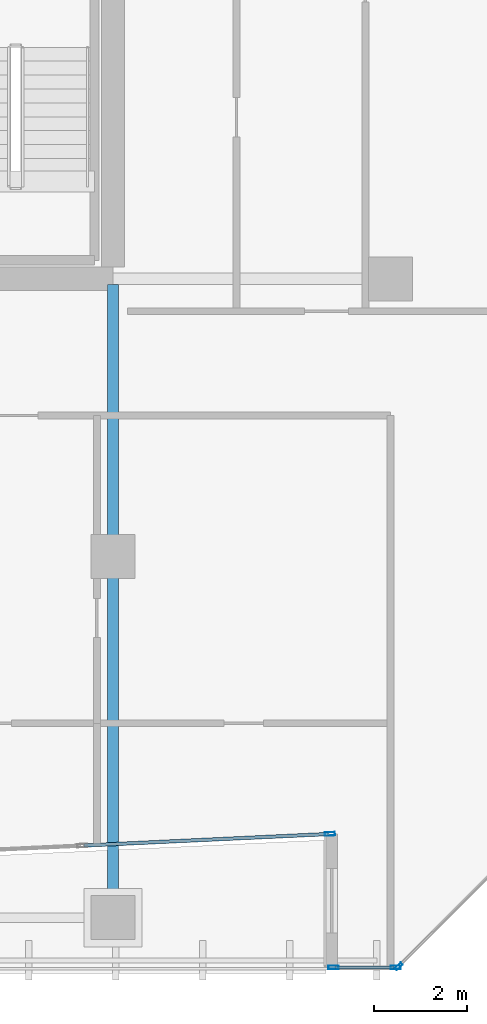
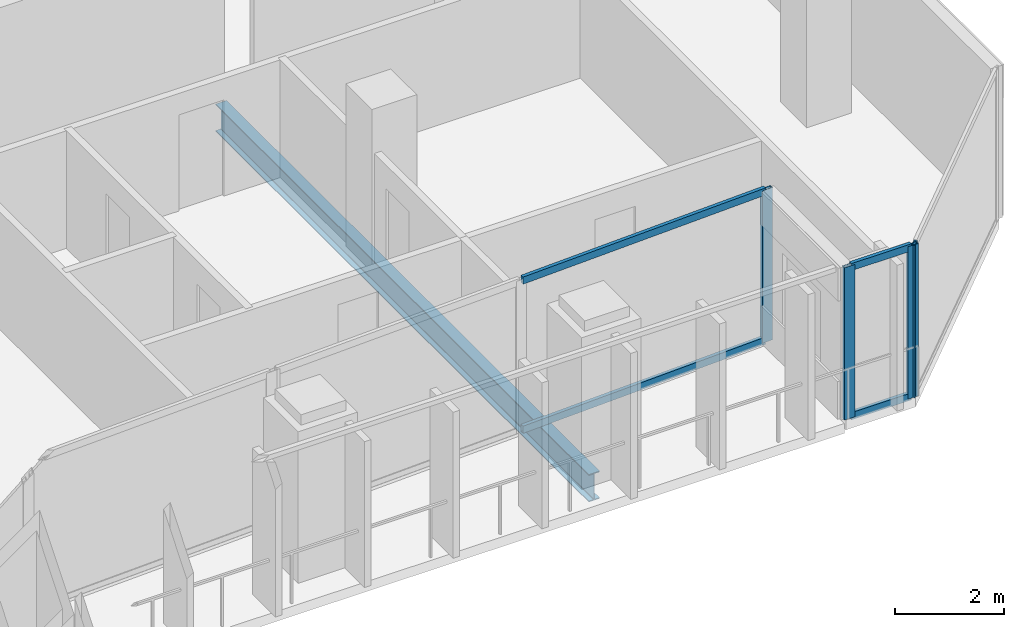
# One storey, part 19 of 39: 8 members, 1 beam, 3 elements without a shape of their own.
"""IFC4 building model written with IfcOpenShell, lengths in metres."""

from ifc_helpers import new_model, si_unit, direction, frame, origin, origin_2d, place, context, subcontext, project, spatial, hollow_rectangle, i_section, extrude, material, layer, layer_set, material_profile, profile_set, type_object, element, aggregate, save


model = new_model("IFC4")

# Units and contexts
model_context = context("Model", 3, precision=1e-05, world=origin(), true_north=direction((0.0, 1.0)))
body_context = subcontext(model_context, "Body", "Model", "MODEL_VIEW")
ifc_project = project(units=[si_unit("LENGTHUNIT", "METRE"), si_unit("AREAUNIT", "SQUARE_METRE"), si_unit("VOLUMEUNIT", "CUBIC_METRE"), si_unit("PLANEANGLEUNIT", "RADIAN"), si_unit("MASSUNIT", "GRAM", prefix="KILO")], contexts=[model_context])

# Site, building, storey
site_placement = place(None, origin())
site = spatial("IfcSite", under=ifc_project, at=site_placement, CompositionType="ELEMENT")
building_placement = place(site_placement, origin())
building = spatial("IfcBuilding", under=site, at=building_placement, Name="Tanjung Sevakor Pilgrim Tower", CompositionType="ELEMENT")
storey_placement = place(building_placement, frame((0.0, 0.0, 108.570068359375)))
storey = spatial("IfcBuildingStorey", under=building, at=storey_placement, Name="L30", CompositionType="ELEMENT", Elevation=108.570068359375)

# Beam
ifc_material_1 = material(Name="Steel S355J2", Category="steel")
ifc_material_profile_1 = material_profile(ifc_material_1, i_section(OverallWidth=0.230224609375, OverallDepth=0.6171875, WebThickness=0.01318359375, FlangeThickness=0.022216796875, FilletRadius=0.0126953125, at=origin_2d()))
ifc_profile_set_1 = profile_set([ifc_material_profile_1], Name="Steel S355J2")
beam_type = type_object("IfcBeamType", Name="BM-B-G3-UB_610x229x140", PredefinedType="BEAM", material=ifc_profile_set_1)
beam_placement = place(storey_placement, frame((90.0, 10.800048828125, -0.528564453125), z_axis=(0.0, 1.0, 0.0), x_axis=(-1.0, 0.0, 0.0)))
element("IfcBeam", 1, at=beam_placement, inside=storey, type_object=beam_type, Name="L30 MAIN Girder 045", PredefinedType="BEAM", context=body_context, shape_type="SweptSolid", body=[
    extrude(i_section(OverallWidth=0.230224609375, OverallDepth=0.6171875, WebThickness=0.01318359375, FlangeThickness=0.022216796875, FilletRadius=0.0126953125, at=origin_2d()), origin(), (0.0, 0.0, 1.0), 13.672607421875),
])

# Curtain wall, member
ifc_material_2 = material(Name="Aluminium 6063-T6 and Low-E Glass", Category="aluminium")
ifc_layer_1 = layer(ifc_material_2, 0.179931640625)
ifc_layer_set_1 = layer_set([ifc_layer_1], Name="CW-SYS-CHAM")
curtain_wall_type_1 = type_object("IfcCurtainWallType", Name="CW-SYS-CHAM", PredefinedType="NOTDEFINED", material=ifc_layer_set_1)
curtain_wall_1_placement = place(storey_placement, origin())
curtain_wall_1 = element("IfcCurtainWall", 2, at=curtain_wall_1_placement, inside=storey, type_object=curtain_wall_type_1, Name="L30 Curtain Wall CW-CHM-L30-MAIN-15", PredefinedType="NOTDEFINED")
ifc_material_3 = material(Name="Aluminium 6063-T6", Category="aluminium")
ifc_material_profile_2 = material_profile(ifc_material_3, hollow_rectangle(XDim=0.06494140625, YDim=0.179931640625, WallThickness=0.00390625, at=origin_2d()))
ifc_profile_set_2 = profile_set([ifc_material_profile_2], Name="Aluminium 6063-T6")
member_type_1 = type_object("IfcMemberType", Name="TYPE-CWM-1", PredefinedType="MULLION", material=ifc_profile_set_2)
member_1_placement = place(storey_placement, frame((96.171142578125, 9.748046875, 0.0), z_axis=(0.0, 0.0, 1.0), x_axis=(-0.707106781187, 0.707106781187, 0.0)))
member_1 = element("IfcMember", 3, at=member_1_placement, type_object=member_type_1, Name="CW-CHM mullion 1", PredefinedType="MULLION", context=body_context, shape_type="SweptSolid", body=[
    extrude(hollow_rectangle(XDim=0.06494140625, YDim=0.179931640625, WallThickness=0.00390625, at=origin_2d()), origin(), (0.0, 0.0, 1.0), 3.409912109375),
])
aggregate(curtain_wall_1, [member_1])

ifc_material_4 = material(Name="Aluminium 6063-T6 and Low-E Glass", Category="aluminium")
ifc_layer_2 = layer(ifc_material_4, 0.199951171875)
ifc_layer_set_2 = layer_set([ifc_layer_2], Name="CW-SYS-PRAY")
curtain_wall_type_2 = type_object("IfcCurtainWallType", Name="CW-SYS-PRAY", PredefinedType="NOTDEFINED", material=ifc_layer_set_2)
curtain_wall_2_placement = place(storey_placement, origin())
curtain_wall_2 = element("IfcCurtainWall", 4, at=curtain_wall_2_placement, inside=storey, type_object=curtain_wall_type_2, Name="L30 Curtain Wall CW-PRY-L30-12", PredefinedType="NOTDEFINED")
ifc_material_5 = material(Name="Aluminium 6063-T6", Category="aluminium")
ifc_material_profile_3 = material_profile(ifc_material_5, hollow_rectangle(XDim=0.074951171875, YDim=0.219970703125, WallThickness=0.0048828125, at=origin_2d()))
ifc_profile_set_3 = profile_set([ifc_material_profile_3], Name="Aluminium 6063-T6")
member_type_2 = type_object("IfcMemberType", Name="TYPE-CWM-2", PredefinedType="MULLION", material=ifc_profile_set_3)
member_2_placement = place(storey_placement, frame((94.6875, 12.609130859375, 0.0), z_axis=(0.0, 0.0, 1.0), x_axis=(-0.046892491411, 0.998899942061, 0.0)))
member_2 = element("IfcMember", 5, at=member_2_placement, type_object=member_type_2, Name="CW-PRY mullion 3", PredefinedType="MULLION", context=body_context, shape_type="SweptSolid", body=[
    extrude(hollow_rectangle(XDim=0.074951171875, YDim=0.219970703125, WallThickness=0.0048828125, at=origin_2d()), origin(), (0.0, 0.0, 1.0), 3.409912109375),
])

# Curtain wall, members
curtain_wall_3_placement = place(storey_placement, origin())
curtain_wall_3 = element("IfcCurtainWall", 6, at=curtain_wall_3_placement, inside=storey, type_object=curtain_wall_type_2, Name="L30 Curtain Wall CW-PRY-L30-14", PredefinedType="NOTDEFINED")
member_3_placement = place(storey_placement, frame((94.762451171875, 9.72509765625, 0.0), z_axis=(0.0, 0.0, 1.0), x_axis=(0.0, 1.0, 0.0)))
member_3 = element("IfcMember", 7, at=member_3_placement, type_object=member_type_2, Name="CW-PRY mullion 1", PredefinedType="MULLION", context=body_context, shape_type="SweptSolid", body=[
    extrude(hollow_rectangle(XDim=0.074951171875, YDim=0.219970703125, WallThickness=0.0048828125, at=origin_2d()), origin(), (0.0, 0.0, 1.0), 3.409912109375),
])
member_4_placement = place(storey_placement, frame((96.110595703125, 9.72509765625, 0.0), z_axis=(0.0, 0.0, 1.0), x_axis=(0.0, 1.0, 0.0)))
member_4 = element("IfcMember", 8, at=member_4_placement, type_object=member_type_2, Name="CW-PRY mullion 2", PredefinedType="MULLION", context=body_context, shape_type="SweptSolid", body=[
    extrude(hollow_rectangle(XDim=0.074951171875, YDim=0.219970703125, WallThickness=0.0048828125, at=origin_2d()), origin(), (0.0, 0.0, 1.0), 3.409912109375),
])

# Member
ifc_material_6 = material(Name="Aluminium 6063-T6", Category="aluminium")
ifc_material_profile_4 = material_profile(ifc_material_6, hollow_rectangle(XDim=0.074951171875, YDim=0.159912109375, WallThickness=0.00439453125, at=origin_2d()))
ifc_profile_set_4 = profile_set([ifc_material_profile_4], Name="Aluminium 6063-T6")
member_type_3 = type_object("IfcMemberType", Name="TYPE-CWT-2", PredefinedType="USERDEFINED", material=ifc_profile_set_4)
member_5_placement = place(storey_placement, frame((89.3720703125, 12.359619140625, 0.037353515625), z_axis=(0.998899693598, 0.046897783848, 0.0), x_axis=(-0.046897783848, 0.998899693598, 0.0)))
member_5 = element("IfcMember", 9, at=member_5_placement, type_object=member_type_3, Name="CW-PRY transom 2.1", ObjectType="TRANSOM", PredefinedType="USERDEFINED", context=body_context, shape_type="SweptSolid", body=[
    extrude(hollow_rectangle(XDim=0.074951171875, YDim=0.159912109375, WallThickness=0.00439453125, at=origin_2d()), origin(), (0.0, 0.0, 1.0), 5.283935546875),
])

member_6_placement = place(storey_placement, frame((89.3720703125, 12.359619140625, 3.372314453125), z_axis=(0.998899693598, 0.046897783848, 0.0), x_axis=(-0.046897783848, 0.998899693598, 0.0)))
member_6 = element("IfcMember", 10, at=member_6_placement, type_object=member_type_3, Name="CW-PRY transom 2.2", ObjectType="TRANSOM", PredefinedType="USERDEFINED", context=body_context, shape_type="SweptSolid", body=[
    extrude(hollow_rectangle(XDim=0.074951171875, YDim=0.159912109375, WallThickness=0.00439453125, at=origin_2d()), origin(), (0.0, 0.0, 1.0), 5.283935546875),
])

aggregate(curtain_wall_2, [member_2, member_5, member_6])

member_7_placement = place(storey_placement, frame((94.800048828125, 9.72509765625, 0.037353515625), z_axis=(1.0, 0.0, 0.0), x_axis=(0.0, 1.0, 0.0)))
member_7 = element("IfcMember", 11, at=member_7_placement, type_object=member_type_3, Name="CW-PRY transom 1.1", ObjectType="TRANSOM", PredefinedType="USERDEFINED", context=body_context, shape_type="SweptSolid", body=[
    extrude(hollow_rectangle(XDim=0.074951171875, YDim=0.159912109375, WallThickness=0.00439453125, at=origin_2d()), origin(), (0.0, 0.0, 1.0), 1.273193359375),
])

member_8_placement = place(storey_placement, frame((94.800048828125, 9.72509765625, 3.372314453125), z_axis=(1.0, 0.0, 0.0), x_axis=(0.0, 1.0, 0.0)))
member_8 = element("IfcMember", 12, at=member_8_placement, type_object=member_type_3, Name="CW-PRY transom 1.2", ObjectType="TRANSOM", PredefinedType="USERDEFINED", context=body_context, shape_type="SweptSolid", body=[
    extrude(hollow_rectangle(XDim=0.074951171875, YDim=0.159912109375, WallThickness=0.00439453125, at=origin_2d()), origin(), (0.0, 0.0, 1.0), 1.273193359375),
])

aggregate(curtain_wall_3, [member_3, member_4, member_7, member_8])

save(model, "model.ifc")
